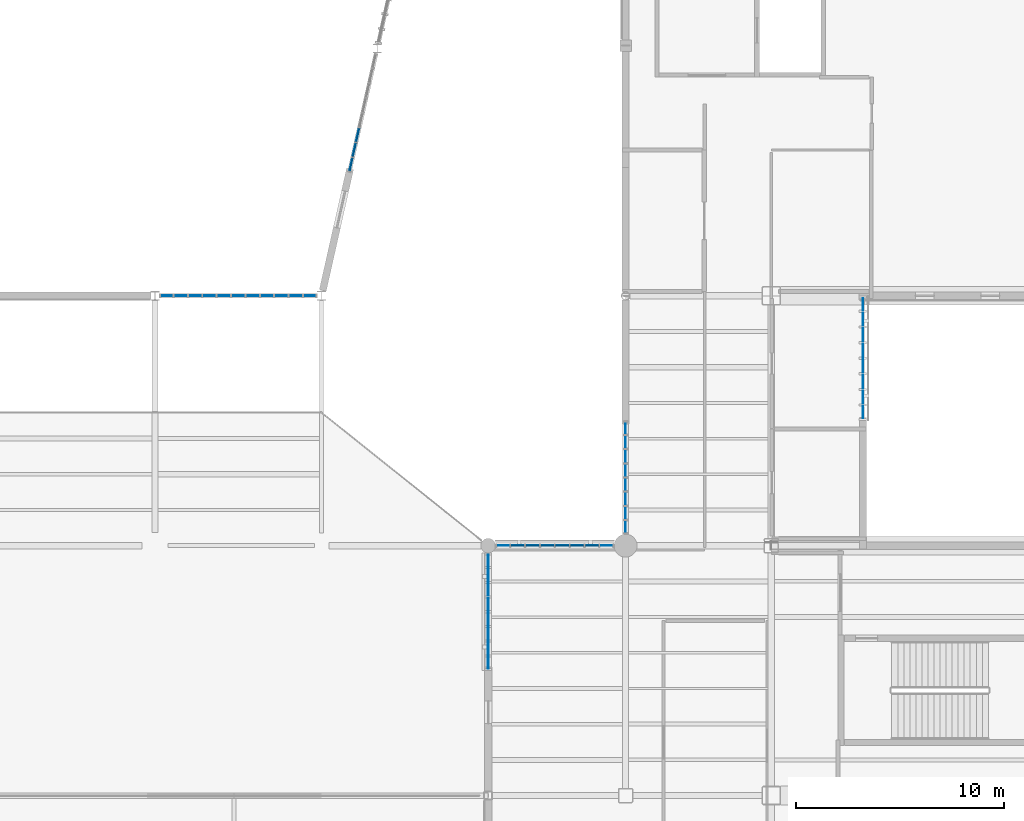
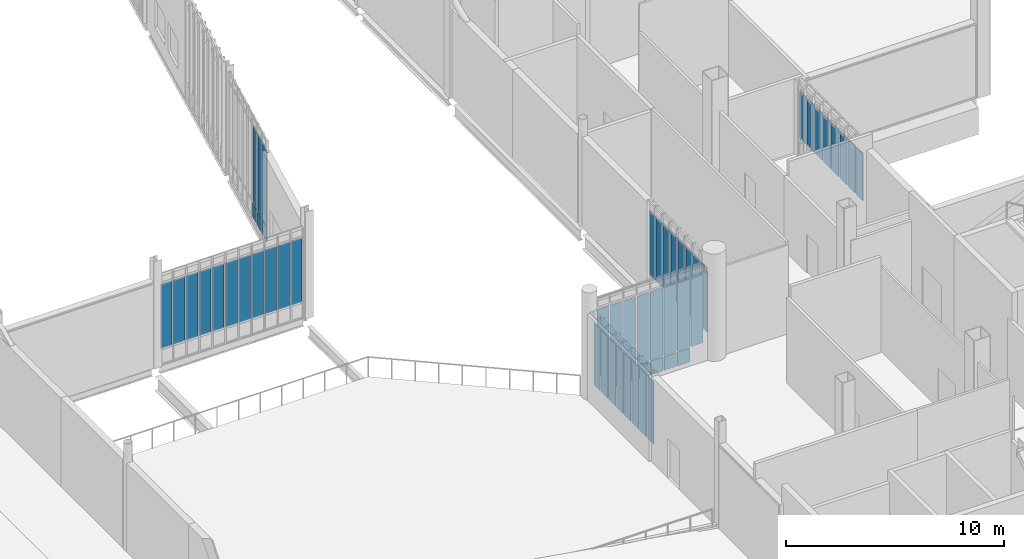
# One storey, part 72 of 135: 55 plates, 6 elements without a shape of their own.
"""IFC4 building model written with IfcOpenShell, lengths in metres."""

from ifc_helpers import new_model, si_unit, direction, frame, origin, origin_2d, place, context, subcontext, project, spatial, rectangle, extrude, material, layer, layer_set, type_object, element, aggregate, save


model = new_model("IFC4")

# Units and contexts
model_context = context("Model", 3, precision=1e-05, world=origin(), true_north=direction((0.0, 1.0)))
body_context = subcontext(model_context, "Body", "Model", "MODEL_VIEW")
ifc_project = project(units=[si_unit("LENGTHUNIT", "METRE"), si_unit("AREAUNIT", "SQUARE_METRE"), si_unit("VOLUMEUNIT", "CUBIC_METRE"), si_unit("PLANEANGLEUNIT", "RADIAN"), si_unit("MASSUNIT", "GRAM", prefix="KILO")], contexts=[model_context])

# Site, building, storey
site_placement = place(None, origin())
site = spatial("IfcSite", under=ifc_project, at=site_placement, CompositionType="ELEMENT")
building_placement = place(site_placement, origin())
building = spatial("IfcBuilding", under=site, at=building_placement, Name="Larkvane Passage Sports Hall", CompositionType="ELEMENT")
storey_placement = place(building_placement, frame((0.0, 0.0, 10.800048828125)))
storey = spatial("IfcBuildingStorey", under=building, at=storey_placement, Name="L02", CompositionType="ELEMENT", Elevation=10.800048828125)

# Curtain wall, plates
ifc_material_1 = material(Name="Thermally broken aluminium and low-E glazing", Category="aluminium")
curtain_wall_type_1 = type_object("IfcCurtainWallType", Name="CW-UNIT-COURT", PredefinedType="USERDEFINED", material=ifc_material_1)
curtain_wall_1_placement = place(storey_placement, origin())
curtain_wall_1 = element("IfcCurtainWall", 1, at=curtain_wall_1_placement, inside=storey, type_object=curtain_wall_type_1, Name="Curtain wall CW5-L02-076", ObjectType="UNITISED CURTAIN WALL", PredefinedType="USERDEFINED")
ifc_material_2 = material(Name="Insulated aluminium spandrel panel", Category="aluminium")
ifc_layer_1 = layer(ifc_material_2, 0.06494140625)
ifc_layer_set_1 = layer_set([ifc_layer_1], Name="Insulated aluminium spandrel panel")
plate_type_1 = type_object("IfcPlateType", Name="CWP-SPD-65", PredefinedType="CURTAIN_PANEL", material=ifc_layer_set_1)
plate_1_placement = place(storey_placement, frame((119.416259765625, 51.60009765625, 0.06005859375), z_axis=(0.0, 0.0, 1.0), x_axis=(1.0, 0.0, 0.0)))
plate_1 = element("IfcPlate", 2, at=plate_1_placement, type_object=plate_type_1, Name="CW-01 panel 2.1", PredefinedType="CURTAIN_PANEL", context=body_context, shape_type="SweptSolid", body=[
    extrude(rectangle(XDim=0.653564453125, YDim=0.06494140625, at=origin_2d()), origin(), (0.0, 0.0, 1.0), 0.760009765625),
])
plate_2_placement = place(storey_placement, frame((120.129638671875, 51.60009765625, 0.06005859375), z_axis=(0.0, 0.0, 1.0), x_axis=(1.0, 0.0, 0.0)))
plate_2 = element("IfcPlate", 3, at=plate_2_placement, type_object=plate_type_1, Name="CW-01 panel 3.1", PredefinedType="CURTAIN_PANEL", context=body_context, shape_type="SweptSolid", body=[
    extrude(rectangle(XDim=0.653564453125, YDim=0.06494140625, at=origin_2d()), origin(), (0.0, 0.0, 1.0), 0.760009765625),
])
plate_3_placement = place(storey_placement, frame((120.84326171875, 51.60009765625, 0.06005859375), z_axis=(0.0, 0.0, 1.0), x_axis=(1.0, 0.0, 0.0)))
plate_3 = element("IfcPlate", 4, at=plate_3_placement, type_object=plate_type_1, Name="CW-01 panel 4.1", PredefinedType="CURTAIN_PANEL", context=body_context, shape_type="SweptSolid", body=[
    extrude(rectangle(XDim=0.653564453125, YDim=0.06494140625, at=origin_2d()), origin(), (0.0, 0.0, 1.0), 0.760009765625),
])
plate_4_placement = place(storey_placement, frame((121.556640625, 51.60009765625, 0.06005859375), z_axis=(0.0, 0.0, 1.0), x_axis=(1.0, 0.0, 0.0)))
plate_4 = element("IfcPlate", 5, at=plate_4_placement, type_object=plate_type_1, Name="CW-01 panel 5.1", PredefinedType="CURTAIN_PANEL", context=body_context, shape_type="SweptSolid", body=[
    extrude(rectangle(XDim=0.653564453125, YDim=0.06494140625, at=origin_2d()), origin(), (0.0, 0.0, 1.0), 0.760009765625),
])
plate_5_placement = place(storey_placement, frame((122.270263671875, 51.60009765625, 0.06005859375), z_axis=(0.0, 0.0, 1.0), x_axis=(1.0, 0.0, 0.0)))
plate_5 = element("IfcPlate", 6, at=plate_5_placement, type_object=plate_type_1, Name="CW-01 panel 6.1", PredefinedType="CURTAIN_PANEL", context=body_context, shape_type="SweptSolid", body=[
    extrude(rectangle(XDim=0.653564453125, YDim=0.06494140625, at=origin_2d()), origin(), (0.0, 0.0, 1.0), 0.760009765625),
])
plate_6_placement = place(storey_placement, frame((122.983642578125, 51.60009765625, 0.06005859375), z_axis=(0.0, 0.0, 1.0), x_axis=(1.0, 0.0, 0.0)))
plate_6 = element("IfcPlate", 7, at=plate_6_placement, type_object=plate_type_1, Name="CW-01 panel 7.1", PredefinedType="CURTAIN_PANEL", context=body_context, shape_type="SweptSolid", body=[
    extrude(rectangle(XDim=0.653564453125, YDim=0.06494140625, at=origin_2d()), origin(), (0.0, 0.0, 1.0), 0.760009765625),
])

curtain_wall_2_placement = place(storey_placement, origin())
curtain_wall_2 = element("IfcCurtainWall", 8, at=curtain_wall_2_placement, inside=storey, type_object=curtain_wall_type_1, Name="Curtain wall CW5-L02-084", ObjectType="UNITISED CURTAIN WALL", PredefinedType="USERDEFINED")
plate_7_placement = place(storey_placement, frame((111.734375, 71.318359375, 0.06005859375), z_axis=(0.0, 0.0, 1.0), x_axis=(-0.219243647747, -0.975670140428, 0.0)))
plate_7 = element("IfcPlate", 9, at=plate_7_placement, type_object=plate_type_1, Name="CW-01 panel 6.1", PredefinedType="CURTAIN_PANEL", context=body_context, shape_type="SweptSolid", body=[
    extrude(rectangle(XDim=0.671142578125, YDim=0.06494140625, at=origin_2d()), origin(), (0.0, 0.0, 1.0), 0.760009765625),
])
plate_8_placement = place(storey_placement, frame((111.57421875, 70.605224609375, 0.06005859375), z_axis=(0.0, 0.0, 1.0), x_axis=(-0.219243647747, -0.975670140428, 0.0)))
plate_8 = element("IfcPlate", 10, at=plate_8_placement, type_object=plate_type_1, Name="CW-01 panel 7.1", PredefinedType="CURTAIN_PANEL", context=body_context, shape_type="SweptSolid", body=[
    extrude(rectangle(XDim=0.671142578125, YDim=0.06494140625, at=origin_2d()), origin(), (0.0, 0.0, 1.0), 0.760009765625),
])
plate_9_placement = place(storey_placement, frame((111.417236328125, 69.906494140625, 0.06005859375), z_axis=(0.0, 0.0, 1.0), x_axis=(-0.219243647747, -0.975670140428, 0.0)))
plate_9 = element("IfcPlate", 11, at=plate_9_placement, type_object=plate_type_1, Name="CW-01 panel 8.1", PredefinedType="CURTAIN_PANEL", context=body_context, shape_type="SweptSolid", body=[
    extrude(rectangle(XDim=0.64111328125, YDim=0.06494140625, at=origin_2d()), origin(), (0.0, 0.0, 1.0), 0.760009765625),
])

# Plate
ifc_material_3 = material(Name="Solar-control low-E double glazing", Category="glass")
ifc_layer_2 = layer(ifc_material_3, 0.028076171875)
ifc_layer_set_2 = layer_set([ifc_layer_2], Name="Solar-control low-E double glazing")
plate_type_2 = type_object("IfcPlateType", Name="CWP-VIS-28", PredefinedType="CURTAIN_PANEL", material=ifc_layer_set_2)
plate_10_placement = place(storey_placement, frame((118.7177734375, 51.60009765625, 0.8798828125), z_axis=(0.0, 0.0, 1.0), x_axis=(1.0, 0.0, 0.0)))
plate_10 = element("IfcPlate", 12, at=plate_10_placement, type_object=plate_type_2, Name="CW-01 panel 1.2", PredefinedType="CURTAIN_PANEL", context=body_context, shape_type="SweptSolid", body=[
    extrude(rectangle(XDim=0.62353515625, YDim=0.028076171875, at=origin_2d()), origin(), (0.0, 0.0, 1.0), 3.798095703125),
])

plate_11_placement = place(storey_placement, frame((119.416259765625, 51.60009765625, 0.8798828125), z_axis=(0.0, 0.0, 1.0), x_axis=(1.0, 0.0, 0.0)))
plate_11 = element("IfcPlate", 13, at=plate_11_placement, type_object=plate_type_2, Name="CW-01 panel 2.2", PredefinedType="CURTAIN_PANEL", context=body_context, shape_type="SweptSolid", body=[
    extrude(rectangle(XDim=0.653564453125, YDim=0.028076171875, at=origin_2d()), origin(), (0.0, 0.0, 1.0), 3.798095703125),
])

plate_12_placement = place(storey_placement, frame((120.129638671875, 51.60009765625, 0.8798828125), z_axis=(0.0, 0.0, 1.0), x_axis=(1.0, 0.0, 0.0)))
plate_12 = element("IfcPlate", 14, at=plate_12_placement, type_object=plate_type_2, Name="CW-01 panel 3.2", PredefinedType="CURTAIN_PANEL", context=body_context, shape_type="SweptSolid", body=[
    extrude(rectangle(XDim=0.653564453125, YDim=0.028076171875, at=origin_2d()), origin(), (0.0, 0.0, 1.0), 3.798095703125),
])

plate_13_placement = place(storey_placement, frame((120.84326171875, 51.60009765625, 0.8798828125), z_axis=(0.0, 0.0, 1.0), x_axis=(1.0, 0.0, 0.0)))
plate_13 = element("IfcPlate", 15, at=plate_13_placement, type_object=plate_type_2, Name="CW-01 panel 4.2", PredefinedType="CURTAIN_PANEL", context=body_context, shape_type="SweptSolid", body=[
    extrude(rectangle(XDim=0.653564453125, YDim=0.028076171875, at=origin_2d()), origin(), (0.0, 0.0, 1.0), 3.798095703125),
])

plate_14_placement = place(storey_placement, frame((121.556640625, 51.60009765625, 0.8798828125), z_axis=(0.0, 0.0, 1.0), x_axis=(1.0, 0.0, 0.0)))
plate_14 = element("IfcPlate", 16, at=plate_14_placement, type_object=plate_type_2, Name="CW-01 panel 5.2", PredefinedType="CURTAIN_PANEL", context=body_context, shape_type="SweptSolid", body=[
    extrude(rectangle(XDim=0.653564453125, YDim=0.028076171875, at=origin_2d()), origin(), (0.0, 0.0, 1.0), 3.798095703125),
])

plate_15_placement = place(storey_placement, frame((122.270263671875, 51.60009765625, 0.8798828125), z_axis=(0.0, 0.0, 1.0), x_axis=(1.0, 0.0, 0.0)))
plate_15 = element("IfcPlate", 17, at=plate_15_placement, type_object=plate_type_2, Name="CW-01 panel 6.2", PredefinedType="CURTAIN_PANEL", context=body_context, shape_type="SweptSolid", body=[
    extrude(rectangle(XDim=0.653564453125, YDim=0.028076171875, at=origin_2d()), origin(), (0.0, 0.0, 1.0), 3.798095703125),
])

plate_16_placement = place(storey_placement, frame((122.983642578125, 51.60009765625, 0.8798828125), z_axis=(0.0, 0.0, 1.0), x_axis=(1.0, 0.0, 0.0)))
plate_16 = element("IfcPlate", 18, at=plate_16_placement, type_object=plate_type_2, Name="CW-01 panel 7.2", PredefinedType="CURTAIN_PANEL", context=body_context, shape_type="SweptSolid", body=[
    extrude(rectangle(XDim=0.653564453125, YDim=0.028076171875, at=origin_2d()), origin(), (0.0, 0.0, 1.0), 3.798095703125),
])

plate_17_placement = place(storey_placement, frame((123.68212890625, 51.60009765625, 0.8798828125), z_axis=(0.0, 0.0, 1.0), x_axis=(1.0, 0.0, 0.0)))
plate_17 = element("IfcPlate", 19, at=plate_17_placement, type_object=plate_type_2, Name="CW-01 panel 8.2", PredefinedType="CURTAIN_PANEL", context=body_context, shape_type="SweptSolid", body=[
    extrude(rectangle(XDim=0.62353515625, YDim=0.028076171875, at=origin_2d()), origin(), (0.0, 0.0, 1.0), 3.798095703125),
])

aggregate(curtain_wall_1, [plate_10, plate_1, plate_11, plate_2, plate_12, plate_3, plate_13, plate_4, plate_14, plate_5, plate_15, plate_6, plate_16, plate_17])

plate_18_placement = place(storey_placement, frame((111.734375, 71.318359375, 0.8798828125), z_axis=(0.0, 0.0, 1.0), x_axis=(-0.219243647747, -0.975670140428, 0.0)))
plate_18 = element("IfcPlate", 20, at=plate_18_placement, type_object=plate_type_2, Name="CW-01 panel 6.2", PredefinedType="CURTAIN_PANEL", context=body_context, shape_type="SweptSolid", body=[
    extrude(rectangle(XDim=0.671142578125, YDim=0.028076171875, at=origin_2d()), origin(), (0.0, 0.0, 1.0), 4.239990234375),
])

plate_19_placement = place(storey_placement, frame((111.57421875, 70.605224609375, 0.8798828125), z_axis=(0.0, 0.0, 1.0), x_axis=(-0.219243647747, -0.975670140428, 0.0)))
plate_19 = element("IfcPlate", 21, at=plate_19_placement, type_object=plate_type_2, Name="CW-01 panel 7.2", PredefinedType="CURTAIN_PANEL", context=body_context, shape_type="SweptSolid", body=[
    extrude(rectangle(XDim=0.671142578125, YDim=0.028076171875, at=origin_2d()), origin(), (0.0, 0.0, 1.0), 4.239990234375),
])

plate_20_placement = place(storey_placement, frame((111.417236328125, 69.906494140625, 0.8798828125), z_axis=(0.0, 0.0, 1.0), x_axis=(-0.219243647747, -0.975670140428, 0.0)))
plate_20 = element("IfcPlate", 22, at=plate_20_placement, type_object=plate_type_2, Name="CW-01 panel 8.2", PredefinedType="CURTAIN_PANEL", context=body_context, shape_type="SweptSolid", body=[
    extrude(rectangle(XDim=0.64111328125, YDim=0.028076171875, at=origin_2d()), origin(), (0.0, 0.0, 1.0), 4.239990234375),
])

aggregate(curtain_wall_2, [plate_7, plate_18, plate_8, plate_19, plate_9, plate_20])

# Curtain wall, plates
curtain_wall_type_2 = type_object("IfcCurtainWallType", Name="CW-UNIT-VEIL", PredefinedType="USERDEFINED", material=ifc_material_1)
curtain_wall_3_placement = place(storey_placement, origin())
curtain_wall_3 = element("IfcCurtainWall", 23, at=curtain_wall_3_placement, inside=storey, type_object=curtain_wall_type_2, Name="Curtain wall CW5-L02-077", ObjectType="UNITISED CURTAIN WALL", PredefinedType="USERDEFINED")
ifc_material_4 = material(Name="Laminated acoustic low-E glazing", Category="glass")
ifc_layer_3 = layer(ifc_material_4, 0.031982421875)
ifc_layer_set_3 = layer_set([ifc_layer_3], Name="Laminated acoustic low-E glazing")
plate_type_3 = type_object("IfcPlateType", Name="CWP-VIS-32", PredefinedType="CURTAIN_PANEL", material=ifc_layer_set_3)
plate_21_placement = place(storey_placement, frame((124.60009765625, 52.50439453125, 0.88525390625), z_axis=(0.0, 0.0, 1.0), x_axis=(0.0, 1.0, 0.0)))
plate_21 = element("IfcPlate", 24, at=plate_21_placement, type_object=plate_type_3, Name="CW-02 panel 1.2", PredefinedType="CURTAIN_PANEL", context=body_context, shape_type="SweptSolid", body=[
    extrude(rectangle(XDim=0.57666015625, YDim=0.031982421875, at=origin_2d()), origin(), (0.0, 0.0, 1.0), 3.577880859375),
])
plate_22_placement = place(storey_placement, frame((124.60009765625, 53.168701171875, 0.88525390625), z_axis=(0.0, 0.0, 1.0), x_axis=(0.0, 1.0, 0.0)))
plate_22 = element("IfcPlate", 25, at=plate_22_placement, type_object=plate_type_3, Name="CW-02 panel 2.2", PredefinedType="CURTAIN_PANEL", context=body_context, shape_type="SweptSolid", body=[
    extrude(rectangle(XDim=0.61181640625, YDim=0.031982421875, at=origin_2d()), origin(), (0.0, 0.0, 1.0), 3.577880859375),
])
plate_23_placement = place(storey_placement, frame((124.60009765625, 53.850341796875, 0.88525390625), z_axis=(0.0, 0.0, 1.0), x_axis=(0.0, 1.0, 0.0)))
plate_23 = element("IfcPlate", 26, at=plate_23_placement, type_object=plate_type_3, Name="CW-02 panel 3.2", PredefinedType="CURTAIN_PANEL", context=body_context, shape_type="SweptSolid", body=[
    extrude(rectangle(XDim=0.61181640625, YDim=0.031982421875, at=origin_2d()), origin(), (0.0, 0.0, 1.0), 3.577880859375),
])
plate_24_placement = place(storey_placement, frame((124.60009765625, 54.5322265625, 0.88525390625), z_axis=(0.0, 0.0, 1.0), x_axis=(0.0, 1.0, 0.0)))
plate_24 = element("IfcPlate", 27, at=plate_24_placement, type_object=plate_type_3, Name="CW-02 panel 4.2", PredefinedType="CURTAIN_PANEL", context=body_context, shape_type="SweptSolid", body=[
    extrude(rectangle(XDim=0.61181640625, YDim=0.031982421875, at=origin_2d()), origin(), (0.0, 0.0, 1.0), 3.577880859375),
])
plate_25_placement = place(storey_placement, frame((124.60009765625, 55.2138671875, 0.88525390625), z_axis=(0.0, 0.0, 1.0), x_axis=(0.0, 1.0, 0.0)))
plate_25 = element("IfcPlate", 28, at=plate_25_placement, type_object=plate_type_3, Name="CW-02 panel 5.2", PredefinedType="CURTAIN_PANEL", context=body_context, shape_type="SweptSolid", body=[
    extrude(rectangle(XDim=0.61181640625, YDim=0.031982421875, at=origin_2d()), origin(), (0.0, 0.0, 1.0), 3.577880859375),
])
plate_26_placement = place(storey_placement, frame((124.60009765625, 55.8955078125, 0.88525390625), z_axis=(0.0, 0.0, 1.0), x_axis=(0.0, 1.0, 0.0)))
plate_26 = element("IfcPlate", 29, at=plate_26_placement, type_object=plate_type_3, Name="CW-02 panel 6.2", PredefinedType="CURTAIN_PANEL", context=body_context, shape_type="SweptSolid", body=[
    extrude(rectangle(XDim=0.61181640625, YDim=0.031982421875, at=origin_2d()), origin(), (0.0, 0.0, 1.0), 3.577880859375),
])
plate_27_placement = place(storey_placement, frame((124.60009765625, 56.577392578125, 0.88525390625), z_axis=(0.0, 0.0, 1.0), x_axis=(0.0, 1.0, 0.0)))
plate_27 = element("IfcPlate", 30, at=plate_27_placement, type_object=plate_type_3, Name="CW-02 panel 7.2", PredefinedType="CURTAIN_PANEL", context=body_context, shape_type="SweptSolid", body=[
    extrude(rectangle(XDim=0.61181640625, YDim=0.031982421875, at=origin_2d()), origin(), (0.0, 0.0, 1.0), 3.577880859375),
])
plate_28_placement = place(storey_placement, frame((124.60009765625, 57.24169921875, 0.88525390625), z_axis=(0.0, 0.0, 1.0), x_axis=(0.0, 1.0, 0.0)))
plate_28 = element("IfcPlate", 31, at=plate_28_placement, type_object=plate_type_3, Name="CW-02 panel 8.2", PredefinedType="CURTAIN_PANEL", context=body_context, shape_type="SweptSolid", body=[
    extrude(rectangle(XDim=0.57666015625, YDim=0.031982421875, at=origin_2d()), origin(), (0.0, 0.0, 1.0), 3.577880859375),
])
aggregate(curtain_wall_3, [plate_21, plate_22, plate_23, plate_24, plate_25, plate_26, plate_27, plate_28])

curtain_wall_4_placement = place(storey_placement, origin())
curtain_wall_4 = element("IfcCurtainWall", 32, at=curtain_wall_4_placement, inside=storey, type_object=curtain_wall_type_2, Name="Curtain wall CW5-L02-085", ObjectType="UNITISED CURTAIN WALL", PredefinedType="USERDEFINED")
plate_29_placement = place(storey_placement, frame((109.4326171875, 63.60009765625, 0.884765625), z_axis=(0.0, 0.0, 1.0), x_axis=(-1.0, 0.0, 0.0)))
plate_29 = element("IfcPlate", 33, at=plate_29_placement, type_object=plate_type_3, Name="CW-02 panel 1.2", PredefinedType="CURTAIN_PANEL", context=body_context, shape_type="SweptSolid", body=[
    extrude(rectangle(XDim=0.585693359375, YDim=0.031982421875, at=origin_2d()), origin(), (0.0, 0.0, 1.0), 3.590087890625),
])
plate_30_placement = place(storey_placement, frame((108.759521484375, 63.60009765625, 0.884765625), z_axis=(0.0, 0.0, 1.0), x_axis=(-1.0, 0.0, 0.0)))
plate_30 = element("IfcPlate", 34, at=plate_30_placement, type_object=plate_type_3, Name="CW-02 panel 2.2", PredefinedType="CURTAIN_PANEL", context=body_context, shape_type="SweptSolid", body=[
    extrude(rectangle(XDim=0.62060546875, YDim=0.031982421875, at=origin_2d()), origin(), (0.0, 0.0, 1.0), 3.590087890625),
])
plate_31_placement = place(storey_placement, frame((108.06884765625, 63.60009765625, 0.884765625), z_axis=(0.0, 0.0, 1.0), x_axis=(-1.0, 0.0, 0.0)))
plate_31 = element("IfcPlate", 35, at=plate_31_placement, type_object=plate_type_3, Name="CW-02 panel 3.2", PredefinedType="CURTAIN_PANEL", context=body_context, shape_type="SweptSolid", body=[
    extrude(rectangle(XDim=0.62060546875, YDim=0.031982421875, at=origin_2d()), origin(), (0.0, 0.0, 1.0), 3.590087890625),
])
plate_32_placement = place(storey_placement, frame((107.378173828125, 63.60009765625, 0.884765625), z_axis=(0.0, 0.0, 1.0), x_axis=(-1.0, 0.0, 0.0)))
plate_32 = element("IfcPlate", 36, at=plate_32_placement, type_object=plate_type_3, Name="CW-02 panel 4.2", PredefinedType="CURTAIN_PANEL", context=body_context, shape_type="SweptSolid", body=[
    extrude(rectangle(XDim=0.62060546875, YDim=0.031982421875, at=origin_2d()), origin(), (0.0, 0.0, 1.0), 3.590087890625),
])
plate_33_placement = place(storey_placement, frame((106.687744140625, 63.60009765625, 0.884765625), z_axis=(0.0, 0.0, 1.0), x_axis=(-1.0, 0.0, 0.0)))
plate_33 = element("IfcPlate", 37, at=plate_33_placement, type_object=plate_type_3, Name="CW-02 panel 5.2", PredefinedType="CURTAIN_PANEL", context=body_context, shape_type="SweptSolid", body=[
    extrude(rectangle(XDim=0.62060546875, YDim=0.031982421875, at=origin_2d()), origin(), (0.0, 0.0, 1.0), 3.590087890625),
])
plate_34_placement = place(storey_placement, frame((105.9970703125, 63.60009765625, 0.884765625), z_axis=(0.0, 0.0, 1.0), x_axis=(-1.0, 0.0, 0.0)))
plate_34 = element("IfcPlate", 38, at=plate_34_placement, type_object=plate_type_3, Name="CW-02 panel 6.2", PredefinedType="CURTAIN_PANEL", context=body_context, shape_type="SweptSolid", body=[
    extrude(rectangle(XDim=0.62060546875, YDim=0.031982421875, at=origin_2d()), origin(), (0.0, 0.0, 1.0), 3.590087890625),
])
plate_35_placement = place(storey_placement, frame((105.306396484375, 63.60009765625, 0.884765625), z_axis=(0.0, 0.0, 1.0), x_axis=(-1.0, 0.0, 0.0)))
plate_35 = element("IfcPlate", 39, at=plate_35_placement, type_object=plate_type_3, Name="CW-02 panel 7.2", PredefinedType="CURTAIN_PANEL", context=body_context, shape_type="SweptSolid", body=[
    extrude(rectangle(XDim=0.62060546875, YDim=0.031982421875, at=origin_2d()), origin(), (0.0, 0.0, 1.0), 3.590087890625),
])
plate_36_placement = place(storey_placement, frame((104.61572265625, 63.60009765625, 0.884765625), z_axis=(0.0, 0.0, 1.0), x_axis=(-1.0, 0.0, 0.0)))
plate_36 = element("IfcPlate", 40, at=plate_36_placement, type_object=plate_type_3, Name="CW-02 panel 8.2", PredefinedType="CURTAIN_PANEL", context=body_context, shape_type="SweptSolid", body=[
    extrude(rectangle(XDim=0.62060546875, YDim=0.031982421875, at=origin_2d()), origin(), (0.0, 0.0, 1.0), 3.590087890625),
])
plate_37_placement = place(storey_placement, frame((103.925048828125, 63.60009765625, 0.884765625), z_axis=(0.0, 0.0, 1.0), x_axis=(-1.0, 0.0, 0.0)))
plate_37 = element("IfcPlate", 41, at=plate_37_placement, type_object=plate_type_3, Name="CW-02 panel 9.2", PredefinedType="CURTAIN_PANEL", context=body_context, shape_type="SweptSolid", body=[
    extrude(rectangle(XDim=0.62060546875, YDim=0.031982421875, at=origin_2d()), origin(), (0.0, 0.0, 1.0), 3.590087890625),
])
plate_38_placement = place(storey_placement, frame((103.234375, 63.60009765625, 0.884765625), z_axis=(0.0, 0.0, 1.0), x_axis=(-1.0, 0.0, 0.0)))
plate_38 = element("IfcPlate", 42, at=plate_38_placement, type_object=plate_type_3, Name="CW-02 panel 10.2", PredefinedType="CURTAIN_PANEL", context=body_context, shape_type="SweptSolid", body=[
    extrude(rectangle(XDim=0.62060546875, YDim=0.031982421875, at=origin_2d()), origin(), (0.0, 0.0, 1.0), 3.590087890625),
])
plate_39_placement = place(storey_placement, frame((102.561279296875, 63.60009765625, 0.884765625), z_axis=(0.0, 0.0, 1.0), x_axis=(-1.0, 0.0, 0.0)))
plate_39 = element("IfcPlate", 43, at=plate_39_placement, type_object=plate_type_3, Name="CW-02 panel 11.2", PredefinedType="CURTAIN_PANEL", context=body_context, shape_type="SweptSolid", body=[
    extrude(rectangle(XDim=0.585693359375, YDim=0.031982421875, at=origin_2d()), origin(), (0.0, 0.0, 1.0), 3.590087890625),
])
aggregate(curtain_wall_4, [plate_29, plate_30, plate_31, plate_32, plate_33, plate_34, plate_35, plate_36, plate_37, plate_38, plate_39])

curtain_wall_type_3 = type_object("IfcCurtainWallType", Name="CW-CLINIC", PredefinedType="USERDEFINED", material=ifc_material_1)
curtain_wall_5_placement = place(storey_placement, origin())
curtain_wall_5 = element("IfcCurtainWall", 44, at=curtain_wall_5_placement, inside=storey, type_object=curtain_wall_type_3, Name="Curtain wall CW5-L02-071", ObjectType="UNITISED CURTAIN WALL", PredefinedType="USERDEFINED")
ifc_material_5 = material(Name="Triple-laminated typhoon glazing", Category="glass")
ifc_layer_4 = layer(ifc_material_5, 0.0419921875)
ifc_layer_set_4 = layer_set([ifc_layer_4], Name="Triple-laminated typhoon glazing")
plate_type_4 = type_object("IfcPlateType", Name="CWP-VIS-42", PredefinedType="CURTAIN_PANEL", material=ifc_layer_set_4)
plate_40_placement = place(storey_placement, frame((136.0, 63.197509765625, 0.90478515625), z_axis=(0.0, 0.0, 1.0), x_axis=(0.0, -1.0, 0.0)))
plate_40 = element("IfcPlate", 45, at=plate_40_placement, type_object=plate_type_4, Name="CW-05 panel 1.2", PredefinedType="CURTAIN_PANEL", context=body_context, shape_type="SweptSolid", body=[
    extrude(rectangle(XDim=0.5849609375, YDim=0.0419921875, at=origin_2d()), origin(), (0.0, 0.0, 1.0), 2.637939453125),
])
plate_41_placement = place(storey_placement, frame((136.0, 62.47509765625, 0.90478515625), z_axis=(0.0, 0.0, 1.0), x_axis=(0.0, -1.0, 0.0)))
plate_41 = element("IfcPlate", 46, at=plate_41_placement, type_object=plate_type_4, Name="CW-05 panel 2.2", PredefinedType="CURTAIN_PANEL", context=body_context, shape_type="SweptSolid", body=[
    extrude(rectangle(XDim=0.639892578125, YDim=0.0419921875, at=origin_2d()), origin(), (0.0, 0.0, 1.0), 2.637939453125),
])
plate_42_placement = place(storey_placement, frame((136.0, 61.72509765625, 0.90478515625), z_axis=(0.0, 0.0, 1.0), x_axis=(0.0, -1.0, 0.0)))
plate_42 = element("IfcPlate", 47, at=plate_42_placement, type_object=plate_type_4, Name="CW-05 panel 3.2", PredefinedType="CURTAIN_PANEL", context=body_context, shape_type="SweptSolid", body=[
    extrude(rectangle(XDim=0.639892578125, YDim=0.0419921875, at=origin_2d()), origin(), (0.0, 0.0, 1.0), 2.637939453125),
])
plate_43_placement = place(storey_placement, frame((136.0, 60.97509765625, 0.90478515625), z_axis=(0.0, 0.0, 1.0), x_axis=(0.0, -1.0, 0.0)))
plate_43 = element("IfcPlate", 48, at=plate_43_placement, type_object=plate_type_4, Name="CW-05 panel 4.2", PredefinedType="CURTAIN_PANEL", context=body_context, shape_type="SweptSolid", body=[
    extrude(rectangle(XDim=0.639892578125, YDim=0.0419921875, at=origin_2d()), origin(), (0.0, 0.0, 1.0), 2.637939453125),
])
plate_44_placement = place(storey_placement, frame((136.0, 60.22509765625, 0.90478515625), z_axis=(0.0, 0.0, 1.0), x_axis=(0.0, -1.0, 0.0)))
plate_44 = element("IfcPlate", 49, at=plate_44_placement, type_object=plate_type_4, Name="CW-05 panel 5.2", PredefinedType="CURTAIN_PANEL", context=body_context, shape_type="SweptSolid", body=[
    extrude(rectangle(XDim=0.639892578125, YDim=0.0419921875, at=origin_2d()), origin(), (0.0, 0.0, 1.0), 2.637939453125),
])
plate_45_placement = place(storey_placement, frame((136.0, 59.47509765625, 0.90478515625), z_axis=(0.0, 0.0, 1.0), x_axis=(0.0, -1.0, 0.0)))
plate_45 = element("IfcPlate", 50, at=plate_45_placement, type_object=plate_type_4, Name="CW-05 panel 6.2", PredefinedType="CURTAIN_PANEL", context=body_context, shape_type="SweptSolid", body=[
    extrude(rectangle(XDim=0.639892578125, YDim=0.0419921875, at=origin_2d()), origin(), (0.0, 0.0, 1.0), 2.637939453125),
])
plate_46_placement = place(storey_placement, frame((136.0, 58.72509765625, 0.90478515625), z_axis=(0.0, 0.0, 1.0), x_axis=(0.0, -1.0, 0.0)))
plate_46 = element("IfcPlate", 51, at=plate_46_placement, type_object=plate_type_4, Name="CW-05 panel 7.2", PredefinedType="CURTAIN_PANEL", context=body_context, shape_type="SweptSolid", body=[
    extrude(rectangle(XDim=0.639892578125, YDim=0.0419921875, at=origin_2d()), origin(), (0.0, 0.0, 1.0), 2.637939453125),
])
plate_47_placement = place(storey_placement, frame((136.0, 58.00244140625, 0.90478515625), z_axis=(0.0, 0.0, 1.0), x_axis=(0.0, -1.0, 0.0)))
plate_47 = element("IfcPlate", 52, at=plate_47_placement, type_object=plate_type_4, Name="CW-05 panel 8.2", PredefinedType="CURTAIN_PANEL", context=body_context, shape_type="SweptSolid", body=[
    extrude(rectangle(XDim=0.5849609375, YDim=0.0419921875, at=origin_2d()), origin(), (0.0, 0.0, 1.0), 2.637939453125),
])
aggregate(curtain_wall_5, [plate_40, plate_41, plate_42, plate_43, plate_44, plate_45, plate_46, plate_47])

curtain_wall_6_placement = place(storey_placement, origin())
curtain_wall_6 = element("IfcCurtainWall", 53, at=curtain_wall_6_placement, inside=storey, type_object=curtain_wall_type_3, Name="Curtain wall CW5-L02-075", ObjectType="UNITISED CURTAIN WALL", PredefinedType="USERDEFINED")
plate_48_placement = place(storey_placement, frame((118.0, 45.978271484375, 0.89990234375), z_axis=(0.0, 0.0, 1.0), x_axis=(0.0, 1.0, 0.0)))
plate_48 = element("IfcPlate", 54, at=plate_48_placement, type_object=plate_type_4, Name="CW-05 panel 1.2", PredefinedType="CURTAIN_PANEL", context=body_context, shape_type="SweptSolid", body=[
    extrude(rectangle(XDim=0.556640625, YDim=0.0419921875, at=origin_2d()), origin(), (0.0, 0.0, 1.0), 3.447998046875),
])
plate_49_placement = place(storey_placement, frame((118.0, 46.66015625, 0.89990234375), z_axis=(0.0, 0.0, 1.0), x_axis=(0.0, 1.0, 0.0)))
plate_49 = element("IfcPlate", 55, at=plate_49_placement, type_object=plate_type_4, Name="CW-05 panel 2.2", PredefinedType="CURTAIN_PANEL", context=body_context, shape_type="SweptSolid", body=[
    extrude(rectangle(XDim=0.606689453125, YDim=0.0419921875, at=origin_2d()), origin(), (0.0, 0.0, 1.0), 3.447998046875),
])
plate_50_placement = place(storey_placement, frame((118.0, 47.366943359375, 0.89990234375), z_axis=(0.0, 0.0, 1.0), x_axis=(0.0, 1.0, 0.0)))
plate_50 = element("IfcPlate", 56, at=plate_50_placement, type_object=plate_type_4, Name="CW-05 panel 3.2", PredefinedType="CURTAIN_PANEL", context=body_context, shape_type="SweptSolid", body=[
    extrude(rectangle(XDim=0.606689453125, YDim=0.0419921875, at=origin_2d()), origin(), (0.0, 0.0, 1.0), 3.447998046875),
])
plate_51_placement = place(storey_placement, frame((118.0, 48.07373046875, 0.89990234375), z_axis=(0.0, 0.0, 1.0), x_axis=(0.0, 1.0, 0.0)))
plate_51 = element("IfcPlate", 57, at=plate_51_placement, type_object=plate_type_4, Name="CW-05 panel 4.2", PredefinedType="CURTAIN_PANEL", context=body_context, shape_type="SweptSolid", body=[
    extrude(rectangle(XDim=0.606689453125, YDim=0.0419921875, at=origin_2d()), origin(), (0.0, 0.0, 1.0), 3.447998046875),
])
plate_52_placement = place(storey_placement, frame((118.0, 48.7802734375, 0.89990234375), z_axis=(0.0, 0.0, 1.0), x_axis=(0.0, 1.0, 0.0)))
plate_52 = element("IfcPlate", 58, at=plate_52_placement, type_object=plate_type_4, Name="CW-05 panel 5.2", PredefinedType="CURTAIN_PANEL", context=body_context, shape_type="SweptSolid", body=[
    extrude(rectangle(XDim=0.606689453125, YDim=0.0419921875, at=origin_2d()), origin(), (0.0, 0.0, 1.0), 3.447998046875),
])
plate_53_placement = place(storey_placement, frame((118.0, 49.487060546875, 0.89990234375), z_axis=(0.0, 0.0, 1.0), x_axis=(0.0, 1.0, 0.0)))
plate_53 = element("IfcPlate", 59, at=plate_53_placement, type_object=plate_type_4, Name="CW-05 panel 6.2", PredefinedType="CURTAIN_PANEL", context=body_context, shape_type="SweptSolid", body=[
    extrude(rectangle(XDim=0.606689453125, YDim=0.0419921875, at=origin_2d()), origin(), (0.0, 0.0, 1.0), 3.447998046875),
])
plate_54_placement = place(storey_placement, frame((118.0, 50.19384765625, 0.89990234375), z_axis=(0.0, 0.0, 1.0), x_axis=(0.0, 1.0, 0.0)))
plate_54 = element("IfcPlate", 60, at=plate_54_placement, type_object=plate_type_4, Name="CW-05 panel 7.2", PredefinedType="CURTAIN_PANEL", context=body_context, shape_type="SweptSolid", body=[
    extrude(rectangle(XDim=0.606689453125, YDim=0.0419921875, at=origin_2d()), origin(), (0.0, 0.0, 1.0), 3.447998046875),
])
plate_55_placement = place(storey_placement, frame((118.0, 50.875732421875, 0.89990234375), z_axis=(0.0, 0.0, 1.0), x_axis=(0.0, 1.0, 0.0)))
plate_55 = element("IfcPlate", 61, at=plate_55_placement, type_object=plate_type_4, Name="CW-05 panel 8.2", PredefinedType="CURTAIN_PANEL", context=body_context, shape_type="SweptSolid", body=[
    extrude(rectangle(XDim=0.556640625, YDim=0.0419921875, at=origin_2d()), origin(), (0.0, 0.0, 1.0), 3.447998046875),
])
aggregate(curtain_wall_6, [plate_48, plate_49, plate_50, plate_51, plate_52, plate_53, plate_54, plate_55])

save(model, "model.ifc")
